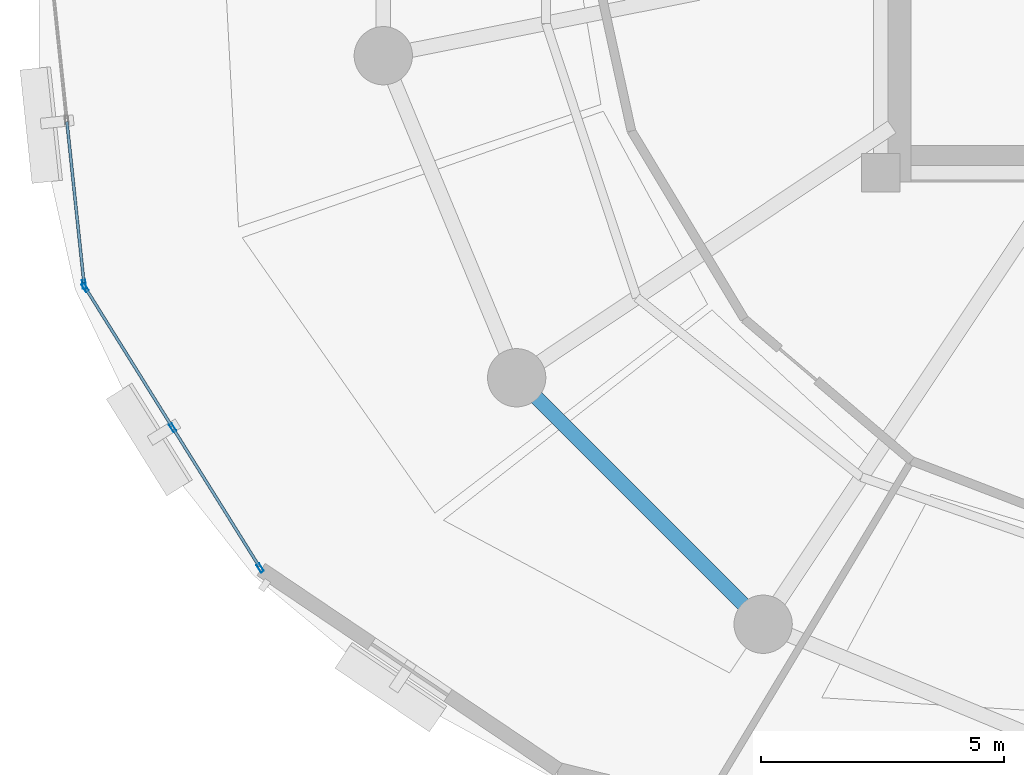
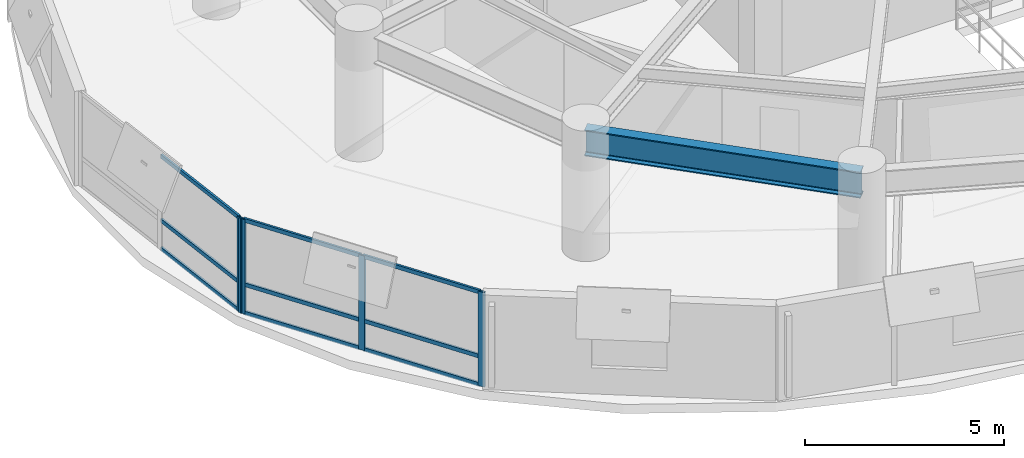
# One storey, part 2 of 15: 13 members, 1 beam, 2 elements without a shape of their own.
"""IFC4 building model written with IfcOpenShell, lengths in metres."""

from ifc_helpers import new_model, si_unit, direction, frame, origin, origin_2d, place, context, subcontext, project, spatial, hollow_rectangle, i_section, extrude, material, layer, layer_set, material_profile, profile_set, type_object, element, aggregate, save


model = new_model("IFC4")

# Units and contexts
model_context = context("Model", 3, precision=1e-05, world=origin(), true_north=direction((0.0, 1.0)))
body_context = subcontext(model_context, "Body", "Model", "MODEL_VIEW")
ifc_project = project(units=[si_unit("LENGTHUNIT", "METRE"), si_unit("AREAUNIT", "SQUARE_METRE"), si_unit("VOLUMEUNIT", "CUBIC_METRE"), si_unit("PLANEANGLEUNIT", "RADIAN"), si_unit("MASSUNIT", "GRAM", prefix="KILO"), si_unit("THERMODYNAMICTEMPERATUREUNIT", "KELVIN"), si_unit("POWERUNIT", "WATT")], contexts=[model_context])

# Site, building, storey
site_placement = place(None, origin())
site = spatial("IfcSite", under=ifc_project, at=site_placement, CompositionType="ELEMENT")
building_placement = place(site_placement, origin())
building = spatial("IfcBuilding", under=site, at=building_placement, Name="Ocrelia Relay Tower", CompositionType="ELEMENT")
storey_placement = place(building_placement, frame((0.0, 0.0, 113.800048828125)))
storey = spatial("IfcBuildingStorey", under=building, at=storey_placement, Name="L26", CompositionType="ELEMENT", Elevation=113.800048828125)

# Beam
ifc_material_1 = material(Name="Steel S355", Category="steel")
ifc_material_profile_1 = material_profile(ifc_material_1, i_section(OverallWidth=0.300048828125, OverallDepth=0.800048828125, WebThickness=0.017578125, FlangeThickness=0.032958984375, FilletRadius=0.030029296875, at=origin_2d()), Name="HEB 800")
ifc_profile_set_1 = profile_set([ifc_material_profile_1], Name="Steel S355")
beam_type = type_object("IfcBeamType", Name="BM-HEB800", PredefinedType="BEAM", material=ifc_profile_set_1)
beam_placement = place(storey_placement, frame((18.700927734375, 15.777587890625, 3.320068359375), z_axis=(0.707106781187, -0.707106781187, 0.0), x_axis=(0.707106781187, 0.707106781187, 0.0)))
element("IfcBeam", 1, at=beam_placement, inside=storey, type_object=beam_type, Name="L26 Perimeter Spandrel Beam S10", PredefinedType="BEAM", context=body_context, shape_type="SweptSolid", body=[
    extrude(i_section(OverallWidth=0.300048828125, OverallDepth=0.800048828125, WebThickness=0.017578125, FlangeThickness=0.032958984375, FilletRadius=0.030029296875, at=origin_2d()), origin(), (0.0, 0.0, 1.0), 7.179443359375),
])

# Curtain wall, member
ifc_material_2 = material(Name="Aluminium and solar-control low-E glass", Category="aluminium")
ifc_layer = layer(ifc_material_2, 0.179931640625, Name="Aluminium and solar-control low-E glass")
ifc_layer_set = layer_set([ifc_layer], Name="Aluminium and solar-control low-E glass")
curtain_wall_type = type_object("IfcCurtainWallType", Name="CW-SYS-Z2-SWIT", PredefinedType="NOTDEFINED", material=ifc_layer_set)
curtain_wall_1_placement = place(storey_placement, origin())
curtain_wall_1 = element("IfcCurtainWall", 2, at=curtain_wall_1_placement, inside=storey, type_object=curtain_wall_type, Name="L26 Elliptical Tower Curtain Wall Bay 09", PredefinedType="NOTDEFINED")
ifc_material_3 = material(Name="Anodised bronze aluminium", Category="aluminium")
ifc_material_profile_2 = material_profile(ifc_material_3, hollow_rectangle(XDim=0.070068359375, YDim=0.179931640625, WallThickness=0.006103515625, at=origin_2d()), Name="CW-MUL-180x70")
ifc_profile_set_2 = profile_set([ifc_material_profile_2], Name="Anodised bronze aluminium")
member_type_1 = type_object("IfcMemberType", Name="CW-SYS-Z2-SWIT-MUL", PredefinedType="MULLION", material=ifc_profile_set_2)
member_1_placement = place(storey_placement, frame((9.791015625, 17.7001953125, 0.0), z_axis=(0.0, 0.0, 1.0), x_axis=(0.994466113533, 0.105057836614, 0.0)))
member_1 = element("IfcMember", 3, at=member_1_placement, type_object=member_type_1, Name="CW-Z2 mullion 3", PredefinedType="MULLION", context=body_context, shape_type="SweptSolid", body=[
    extrude(hollow_rectangle(XDim=0.070068359375, YDim=0.179931640625, WallThickness=0.006103515625, at=origin_2d()), origin(), (0.0, 0.0, 1.0), 2.89990234375),
])

# Curtain wall, members
curtain_wall_2_placement = place(storey_placement, origin())
curtain_wall_2 = element("IfcCurtainWall", 4, at=curtain_wall_2_placement, inside=storey, type_object=curtain_wall_type, Name="L26 Elliptical Tower Curtain Wall Bay 10", PredefinedType="NOTDEFINED")
member_2_placement = place(storey_placement, frame((9.813232421875, 17.6357421875, 0.0), z_axis=(0.0, 0.0, 1.0), x_axis=(0.8483297043, 0.529468330311, 0.0)))
member_2 = element("IfcMember", 5, at=member_2_placement, type_object=member_type_1, Name="CW-Z2 mullion 1", PredefinedType="MULLION", context=body_context, shape_type="SweptSolid", body=[
    extrude(hollow_rectangle(XDim=0.070068359375, YDim=0.179931640625, WallThickness=0.006103515625, at=origin_2d()), origin(), (0.0, 0.0, 1.0), 2.89990234375),
])
member_3_placement = place(storey_placement, frame((11.615966796875, 14.74755859375, 0.0), z_axis=(0.0, 0.0, 1.0), x_axis=(0.8483297043, 0.529468330311, 0.0)))
member_3 = element("IfcMember", 6, at=member_3_placement, type_object=member_type_1, Name="CW-Z2 mullion 2", PredefinedType="MULLION", context=body_context, shape_type="SweptSolid", body=[
    extrude(hollow_rectangle(XDim=0.070068359375, YDim=0.179931640625, WallThickness=0.006103515625, at=origin_2d()), origin(), (0.0, 0.0, 1.0), 2.89990234375),
])
member_4_placement = place(storey_placement, frame((13.41845703125, 11.859375, 0.0), z_axis=(0.0, 0.0, 1.0), x_axis=(0.8483297043, 0.529468330311, 0.0)))
member_4 = element("IfcMember", 7, at=member_4_placement, type_object=member_type_1, Name="CW-Z2 mullion 3", PredefinedType="MULLION", context=body_context, shape_type="SweptSolid", body=[
    extrude(hollow_rectangle(XDim=0.070068359375, YDim=0.179931640625, WallThickness=0.006103515625, at=origin_2d()), origin(), (0.0, 0.0, 1.0), 2.89990234375),
])

# Member
ifc_material_profile_3 = material_profile(ifc_material_3, hollow_rectangle(XDim=0.06005859375, YDim=0.1201171875, WallThickness=0.0048828125, at=origin_2d()), Name="CW-TRN-120x60")
ifc_profile_set_3 = profile_set([ifc_material_profile_3], Name="Anodised bronze aluminium")
member_type_2 = type_object("IfcMemberType", Name="CW-SYS-Z2-SWIT-TRN", PredefinedType="USERDEFINED", material=ifc_profile_set_3)
member_5_placement = place(storey_placement, frame((9.43701171875, 21.05126953125, 0.030029296875), z_axis=(0.10506207978, -0.994465665266, 0.0), x_axis=(0.994465665266, 0.10506207978, 0.0)))
member_5 = element("IfcMember", 8, at=member_5_placement, type_object=member_type_2, Name="CW-Z2 transom 2.1", ObjectType="TRANSOM", PredefinedType="USERDEFINED", context=body_context, shape_type="SweptSolid", body=[
    extrude(hollow_rectangle(XDim=0.06005859375, YDim=0.1201171875, WallThickness=0.0048828125, at=origin_2d()), origin(), (0.0, 0.0, 1.0), 3.334716796875),
])

member_6_placement = place(storey_placement, frame((9.43701171875, 21.05126953125, 0.89990234375), z_axis=(0.10506207978, -0.994465665266, 0.0), x_axis=(0.994465665266, 0.10506207978, 0.0)))
member_6 = element("IfcMember", 9, at=member_6_placement, type_object=member_type_2, Name="CW-Z2 transom 2.2", ObjectType="TRANSOM", PredefinedType="USERDEFINED", context=body_context, shape_type="SweptSolid", body=[
    extrude(hollow_rectangle(XDim=0.06005859375, YDim=0.1201171875, WallThickness=0.0048828125, at=origin_2d()), origin(), (0.0, 0.0, 1.0), 3.334716796875),
])

member_7_placement = place(storey_placement, frame((9.43701171875, 21.05126953125, 2.869873046875), z_axis=(0.10506207978, -0.994465665266, 0.0), x_axis=(0.994465665266, 0.10506207978, 0.0)))
member_7 = element("IfcMember", 10, at=member_7_placement, type_object=member_type_2, Name="CW-Z2 transom 2.3", ObjectType="TRANSOM", PredefinedType="USERDEFINED", context=body_context, shape_type="SweptSolid", body=[
    extrude(hollow_rectangle(XDim=0.06005859375, YDim=0.1201171875, WallThickness=0.0048828125, at=origin_2d()), origin(), (0.0, 0.0, 1.0), 3.334716796875),
])

aggregate(curtain_wall_1, [member_1, member_5, member_6, member_7])

member_8_placement = place(storey_placement, frame((9.831787109375, 17.606201171875, 0.030029296875), z_axis=(0.529478943353, -0.848323080286, 0.0), x_axis=(0.848323080286, 0.529478943353, 0.0)))
member_8 = element("IfcMember", 11, at=member_8_placement, type_object=member_type_2, Name="CW-Z2 transom 1.1", ObjectType="TRANSOM", PredefinedType="USERDEFINED", context=body_context, shape_type="SweptSolid", body=[
    extrude(hollow_rectangle(XDim=0.06005859375, YDim=0.1201171875, WallThickness=0.0048828125, at=origin_2d()), origin(), (0.0, 0.0, 1.0), 3.334716796875),
])

member_9_placement = place(storey_placement, frame((9.831787109375, 17.606201171875, 0.89990234375), z_axis=(0.529478943353, -0.848323080286, 0.0), x_axis=(0.848323080286, 0.529478943353, 0.0)))
member_9 = element("IfcMember", 12, at=member_9_placement, type_object=member_type_2, Name="CW-Z2 transom 1.2", ObjectType="TRANSOM", PredefinedType="USERDEFINED", context=body_context, shape_type="SweptSolid", body=[
    extrude(hollow_rectangle(XDim=0.06005859375, YDim=0.1201171875, WallThickness=0.0048828125, at=origin_2d()), origin(), (0.0, 0.0, 1.0), 3.334716796875),
])

member_10_placement = place(storey_placement, frame((9.831787109375, 17.606201171875, 2.869873046875), z_axis=(0.529478943353, -0.848323080286, 0.0), x_axis=(0.848323080286, 0.529478943353, 0.0)))
member_10 = element("IfcMember", 13, at=member_10_placement, type_object=member_type_2, Name="CW-Z2 transom 1.3", ObjectType="TRANSOM", PredefinedType="USERDEFINED", context=body_context, shape_type="SweptSolid", body=[
    extrude(hollow_rectangle(XDim=0.06005859375, YDim=0.1201171875, WallThickness=0.0048828125, at=origin_2d()), origin(), (0.0, 0.0, 1.0), 3.334716796875),
])

member_11_placement = place(storey_placement, frame((11.63427734375, 14.718017578125, 0.030029296875), z_axis=(0.529478943353, -0.848323080286, 0.0), x_axis=(0.848323080286, 0.529478943353, 0.0)))
member_11 = element("IfcMember", 14, at=member_11_placement, type_object=member_type_2, Name="CW-Z2 transom 2.1", ObjectType="TRANSOM", PredefinedType="USERDEFINED", context=body_context, shape_type="SweptSolid", body=[
    extrude(hollow_rectangle(XDim=0.06005859375, YDim=0.1201171875, WallThickness=0.0048828125, at=origin_2d()), origin(), (0.0, 0.0, 1.0), 3.334716796875),
])

member_12_placement = place(storey_placement, frame((11.63427734375, 14.718017578125, 0.89990234375), z_axis=(0.529478943353, -0.848323080286, 0.0), x_axis=(0.848323080286, 0.529478943353, 0.0)))
member_12 = element("IfcMember", 15, at=member_12_placement, type_object=member_type_2, Name="CW-Z2 transom 2.2", ObjectType="TRANSOM", PredefinedType="USERDEFINED", context=body_context, shape_type="SweptSolid", body=[
    extrude(hollow_rectangle(XDim=0.06005859375, YDim=0.1201171875, WallThickness=0.0048828125, at=origin_2d()), origin(), (0.0, 0.0, 1.0), 3.334716796875),
])

member_13_placement = place(storey_placement, frame((11.63427734375, 14.718017578125, 2.869873046875), z_axis=(0.529478943353, -0.848323080286, 0.0), x_axis=(0.848323080286, 0.529478943353, 0.0)))
member_13 = element("IfcMember", 16, at=member_13_placement, type_object=member_type_2, Name="CW-Z2 transom 2.3", ObjectType="TRANSOM", PredefinedType="USERDEFINED", context=body_context, shape_type="SweptSolid", body=[
    extrude(hollow_rectangle(XDim=0.06005859375, YDim=0.1201171875, WallThickness=0.0048828125, at=origin_2d()), origin(), (0.0, 0.0, 1.0), 3.334716796875),
])

aggregate(curtain_wall_2, [member_2, member_3, member_4, member_8, member_9, member_10, member_11, member_12, member_13])

save(model, "model.ifc")
